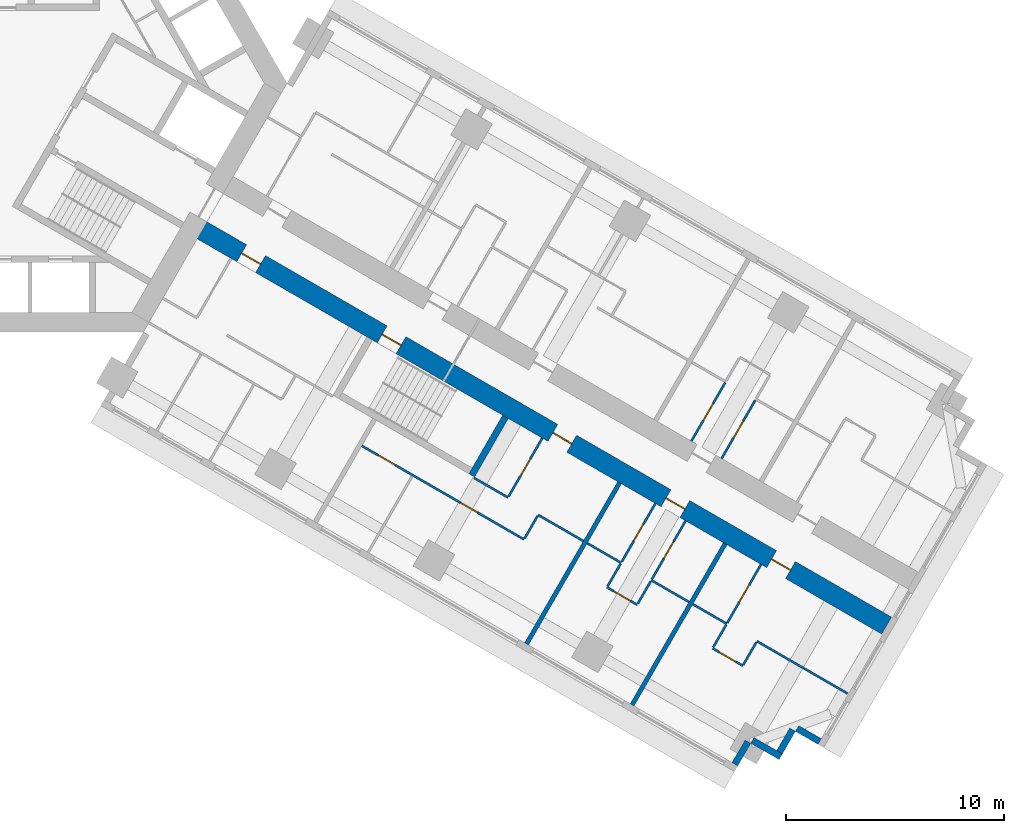
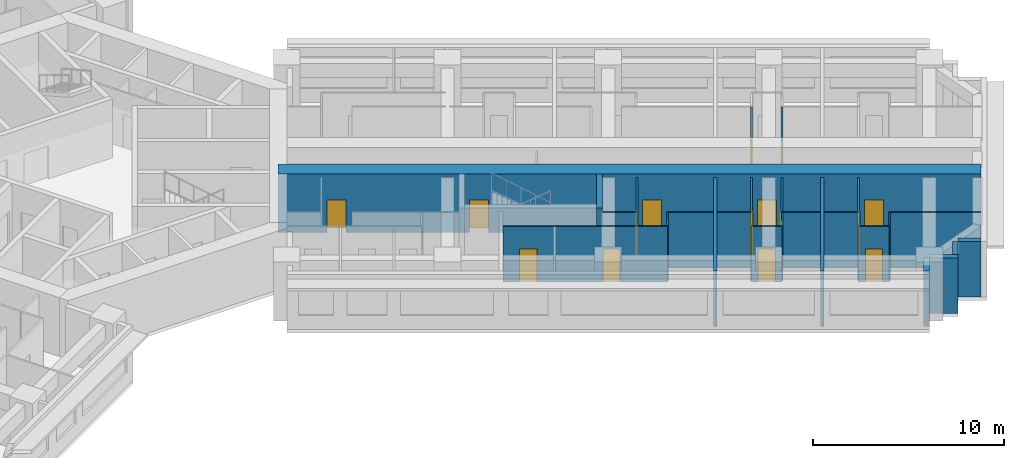
# One storey, part 11 of 16: 28 walls, 15 doors, 15 openings.
"""IFC4 building model written with IfcOpenShell, lengths in metres."""

from ifc_helpers import new_model, si_unit, direction, frame, frame_2d, origin, place, context, subcontext, project, spatial, rectangle, extrude, material, layer, layer_set, type_object, element, fill, save


model = new_model("IFC4")

# Units and contexts
model_context = context("Model", 3, precision=1e-05, world=origin(), true_north=direction((0.0, 1.0)))
body_context = subcontext(model_context, "Body", "Model", "MODEL_VIEW")
ifc_project = project(units=[si_unit("LENGTHUNIT", "METRE"), si_unit("AREAUNIT", "SQUARE_METRE"), si_unit("VOLUMEUNIT", "CUBIC_METRE"), si_unit("PLANEANGLEUNIT", "RADIAN"), si_unit("MASSUNIT", "GRAM", prefix="KILO")], contexts=[model_context])

# Site, building, storey
site_placement = place(None, origin())
site = spatial("IfcSite", under=ifc_project, at=site_placement, CompositionType="ELEMENT")
building_placement = place(site_placement, origin())
building = spatial("IfcBuilding", under=site, at=building_placement, Name="Impinga Residences", CompositionType="ELEMENT")
storey_placement = place(building_placement, frame((0.0, 0.0, 56.0)))
storey = spatial("IfcBuildingStorey", under=building, at=storey_placement, Name="L13", CompositionType="ELEMENT", Elevation=56.0)

# Wall, openings, doors
ifc_material_1 = material(Name="Concrete C70/85", Category="concrete")
ifc_layer_1 = layer(ifc_material_1, 0.89990234375)
ifc_layer_set_1 = layer_set([ifc_layer_1], Name="Concrete C70/85")
wall_type_1 = type_object("IfcWallType", Name="BW1 corridor buttress wall, L05 to L22 900", PredefinedType="SHEAR", material=ifc_layer_set_1)
wall_1_placement = place(storey_placement, frame((8.910400390625, -6.530029296875, 0.0), z_axis=(0.0, 0.0, 1.0), x_axis=(0.866025284237, -0.500000207062, 0.0)))
wall_1 = element("IfcWall", 1, at=wall_1_placement, inside=storey, type_object=wall_type_1, Name="Corridor wall BW1 ED L13", PredefinedType="SHEAR", context=body_context, shape_type="SweptSolid", body=[
    extrude(rectangle(XDim=36.75, YDim=0.89990234375, at=frame_2d((18.375, 0.0))), origin(), (0.0, 0.0, 1.0), 3.75),
])
opening_1_placement = place(wall_1_placement, frame((10.0, 0.0, 0.0)))
opening_1 = element("IfcOpeningElement", 2, at=opening_1_placement, cuts=wall_1, Name="Opening D5", PredefinedType="OPENING", context=body_context, shape_type="SweptSolid", body=[
    extrude(rectangle(XDim=1.0, YDim=2.10009765625, at=frame_2d((0.5, 1.050048828125))), frame((0.0, 0.4599609375, 0.0), z_axis=(0.0, -1.0, 0.0), x_axis=(1.0, 0.0, 0.0)), (0.0, 0.0, 1.0), 0.919921875),
])
opening_2_placement = place(wall_1_placement, frame((2.550048828125, 0.0, 0.0)))
opening_2 = element("IfcOpeningElement", 3, at=opening_2_placement, cuts=wall_1, Name="Opening D1", PredefinedType="OPENING", context=body_context, shape_type="SweptSolid", body=[
    extrude(rectangle(XDim=1.0, YDim=2.10009765625, at=frame_2d((0.5, 1.050048828125))), frame((0.0, 0.4599609375, 0.0), z_axis=(0.0, -1.0, 0.0), x_axis=(1.0, 0.0, 0.0)), (0.0, 0.0, 1.0), 0.919921875),
])
opening_3_placement = place(wall_1_placement, frame((19.050048828125, 0.0, 0.0)))
opening_3 = element("IfcOpeningElement", 4, at=opening_3_placement, cuts=wall_1, Name="Opening D1", PredefinedType="OPENING", context=body_context, shape_type="SweptSolid", body=[
    extrude(rectangle(XDim=1.0, YDim=2.10009765625, at=frame_2d((0.5, 1.050048828125))), frame((0.0, 0.4599609375, 0.0), z_axis=(0.0, -1.0, 0.0), x_axis=(1.0, 0.0, 0.0)), (0.0, 0.0, 1.0), 0.919921875),
])
opening_4_placement = place(wall_1_placement, frame((25.050048828125, 0.0, 0.0)))
opening_4 = element("IfcOpeningElement", 5, at=opening_4_placement, cuts=wall_1, Name="Opening D1", PredefinedType="OPENING", context=body_context, shape_type="SweptSolid", body=[
    extrude(rectangle(XDim=1.0, YDim=2.10009765625, at=frame_2d((0.5, 1.050048828125))), frame((0.0, 0.4599609375, 0.0), z_axis=(0.0, -1.0, 0.0), x_axis=(1.0, 0.0, 0.0)), (0.0, 0.0, 1.0), 0.919921875),
])
opening_5_placement = place(wall_1_placement, frame((30.64990234375, 0.0, 0.0)))
opening_5 = element("IfcOpeningElement", 6, at=opening_5_placement, cuts=wall_1, Name="Opening D1", PredefinedType="OPENING", context=body_context, shape_type="SweptSolid", body=[
    extrude(rectangle(XDim=1.0, YDim=2.10009765625, at=frame_2d((0.5, 1.050048828125))), frame((0.0, 0.4599609375, 0.0), z_axis=(0.0, -1.0, 0.0), x_axis=(1.0, 0.0, 0.0)), (0.0, 0.0, 1.0), 0.919921875),
])
ifc_material_2 = material(Name="Timber door set", Category="wood")
door_type_1 = type_object("IfcDoorType", Name="D1 apartment entrance door 1000x2100", OperationType="SINGLE_SWING_LEFT", PredefinedType="DOOR", material=ifc_material_2)
door_1_placement = place(opening_2_placement, origin())
door_1 = element("IfcDoor", 7, at=door_1_placement, inside=storey, type_object=door_type_1, Name="Apartment L13-EF1 entrance", OperationType="SINGLE_SWING_LEFT", OverallHeight=2.10009765625, OverallWidth=1.0, PredefinedType="DOOR", context=body_context, shape_type="SweptSolid", body=[
    extrude(rectangle(XDim=1.0, YDim=2.10009765625, at=frame_2d((0.5, 1.050048828125))), frame((0.0, 0.02490234375, 0.0), z_axis=(0.0, -1.0, 0.0), x_axis=(1.0, 0.0, 0.0)), (0.0, 0.0, 1.0), 0.050048828125),
])
fill(opening_2, door_1)
door_2_placement = place(opening_3_placement, origin())
door_2 = element("IfcDoor", 8, at=door_2_placement, inside=storey, type_object=door_type_1, Name="Apartment L13-EF2 entrance", OperationType="SINGLE_SWING_RIGHT", OverallHeight=2.10009765625, OverallWidth=1.0, PredefinedType="DOOR", context=body_context, shape_type="SweptSolid", body=[
    extrude(rectangle(XDim=1.0, YDim=2.10009765625, at=frame_2d((0.5, 1.050048828125))), frame((0.0, 0.02490234375, 0.0), z_axis=(0.0, -1.0, 0.0), x_axis=(1.0, 0.0, 0.0)), (0.0, 0.0, 1.0), 0.050048828125),
])
fill(opening_3, door_2)
door_3_placement = place(opening_4_placement, origin())
door_3 = element("IfcDoor", 9, at=door_3_placement, inside=storey, type_object=door_type_1, Name="Apartment L13-EF3 entrance", OperationType="SINGLE_SWING_RIGHT", OverallHeight=2.10009765625, OverallWidth=1.0, PredefinedType="DOOR", context=body_context, shape_type="SweptSolid", body=[
    extrude(rectangle(XDim=1.0, YDim=2.10009765625, at=frame_2d((0.5, 1.050048828125))), frame((0.0, 0.02490234375, 0.0), z_axis=(0.0, -1.0, 0.0), x_axis=(1.0, 0.0, 0.0)), (0.0, 0.0, 1.0), 0.050048828125),
])
fill(opening_4, door_3)
door_4_placement = place(opening_5_placement, origin())
door_4 = element("IfcDoor", 10, at=door_4_placement, inside=storey, type_object=door_type_1, Name="Apartment L13-EF4 entrance", OperationType="SINGLE_SWING_RIGHT", OverallHeight=2.10009765625, OverallWidth=1.0, PredefinedType="DOOR", context=body_context, shape_type="SweptSolid", body=[
    extrude(rectangle(XDim=1.0, YDim=2.10009765625, at=frame_2d((0.5, 1.050048828125))), frame((0.0, 0.02490234375, 0.0), z_axis=(0.0, -1.0, 0.0), x_axis=(1.0, 0.0, 0.0)), (0.0, 0.0, 1.0), 0.050048828125),
])
fill(opening_5, door_4)
door_type_2 = type_object("IfcDoorType", Name="D5 stair door 1000x2100", OperationType="SINGLE_SWING_LEFT", PredefinedType="DOOR", material=ifc_material_2)
door_5_placement = place(opening_1_placement, origin())
door_5 = element("IfcDoor", 11, at=door_5_placement, inside=storey, type_object=door_type_2, Name="Wing stair door E", OperationType="SINGLE_SWING_LEFT", OverallHeight=2.10009765625, OverallWidth=1.0, PredefinedType="DOOR", context=body_context, shape_type="SweptSolid", body=[
    extrude(rectangle(XDim=1.0, YDim=2.10009765625, at=frame_2d((0.5, 1.050048828125))), frame((0.0, 0.02490234375, 0.0), z_axis=(0.0, -1.0, 0.0), x_axis=(1.0, 0.0, 0.0)), (0.0, 0.0, 1.0), 0.050048828125),
])
fill(opening_1, door_5)

# Walls
ifc_material_3 = material(Name="Terracotta rainscreen on blockwork", Category="masonry")
ifc_layer_2 = layer(ifc_material_3, 0.300048828125)
ifc_layer_set_2 = layer_set([ifc_layer_2], Name="EW1 external wall, terracotta rainscreen on blockwork 300")
wall_type_2 = type_object("IfcWallType", Name="EW1 external wall, terracotta rainscreen on blockwork 300", PredefinedType="SOLIDWALL", material=ifc_layer_set_2)
wall_2_placement = place(storey_placement, frame((37.66162109375, -30.23095703125, 0.0), z_axis=(0.0, 0.0, 1.0), x_axis=(-0.866059708757, 0.499940577336, 0.0)))
element("IfcWall", 12, at=wall_2_placement, inside=storey, type_object=wall_type_2, Name="External wall EW1 L13", PredefinedType="SOLIDWALL", context=body_context, shape_type="SweptSolid", body=[
    extrude(rectangle(XDim=1.195068359375, YDim=0.300048828125, at=frame_2d((0.59765625, 0.0))), origin(), (0.0, 0.0, 1.0), 3.530029296875),
])
wall_3_placement = place(storey_placement, frame((36.41748046875, -29.68603515625, 0.0), z_axis=(0.0, 0.0, 1.0), x_axis=(-0.499969057507, -0.866043267704, 0.0)))
element("IfcWall", 13, at=wall_3_placement, inside=storey, type_object=wall_type_2, Name="External wall EW1 L13", PredefinedType="SOLIDWALL", context=body_context, shape_type="SweptSolid", body=[
    extrude(rectangle(XDim=1.19970703125, YDim=0.300048828125, at=frame_2d((0.599853515625, 0.0))), origin(), (0.0, 0.0, 1.0), 3.530029296875),
])
wall_4_placement = place(storey_placement, frame((35.87255859375, -30.93017578125, 0.0), z_axis=(0.0, 0.0, 1.0), x_axis=(-0.866031096941, 0.499990139034, 0.0)))
element("IfcWall", 14, at=wall_4_placement, inside=storey, type_object=wall_type_2, Name="External wall EW1 L13", PredefinedType="SOLIDWALL", context=body_context, shape_type="SweptSolid", body=[
    extrude(rectangle(XDim=1.5, YDim=0.300048828125, at=frame_2d((0.75, 0.0))), origin(), (0.0, 0.0, 1.0), 3.530029296875),
])
wall_5_placement = place(storey_placement, frame((34.365966796875, -30.2392578125, 0.0), z_axis=(0.0, 0.0, 1.0), x_axis=(-0.499940577336, -0.866059708757, 0.0)))
element("IfcWall", 15, at=wall_5_placement, inside=storey, type_object=wall_type_2, Name="External wall EW1 L13", PredefinedType="SOLIDWALL", context=body_context, shape_type="SweptSolid", body=[
    extrude(rectangle(XDim=1.195068359375, YDim=0.300048828125, at=frame_2d((0.59765625, 0.0))), origin(), (0.0, 0.0, 1.0), 3.530029296875),
])

# Wall, opening, door
ifc_material_4 = material(Name="Gypsum board on steel studs", Category="steel")
ifc_layer_3 = layer(ifc_material_4, 0.10009765625)
ifc_layer_set_3 = layer_set([ifc_layer_3], Name="Gypsum board on steel studs")
wall_type_3 = type_object("IfcWallType", Name="IP1 partition 100", PredefinedType="PARTITIONING", material=ifc_layer_set_3)
wall_6_placement = place(storey_placement, frame((31.76953125, -16.436767578125, 0.0), z_axis=(0.0, 0.0, 1.0), x_axis=(0.499967891604, 0.866043940782, 0.0)))
wall_6 = element("IfcWall", 16, at=wall_6_placement, inside=storey, type_object=wall_type_3, Name="Partition L13-EA4:IB1", PredefinedType="PARTITIONING", context=body_context, shape_type="SweptSolid", body=[
    extrude(rectangle(XDim=3.099853515625, YDim=0.10009765625, at=frame_2d((1.5498046875, 0.0))), origin(), (0.0, 0.0, 1.0), 3.530029296875),
])
opening_6_placement = place(wall_6_placement, frame((1.10009765625, 0.0, 0.0)))
opening_6 = element("IfcOpeningElement", 17, at=opening_6_placement, cuts=wall_6, Name="Opening D2", PredefinedType="OPENING", context=body_context, shape_type="SweptSolid", body=[
    extrude(rectangle(XDim=0.89990234375, YDim=2.10009765625, at=frame_2d((0.449951171875, 1.050048828125))), frame((0.0, 0.06005859375, 0.0), z_axis=(0.0, -1.0, 0.0), x_axis=(1.0, 0.0, 0.0)), (0.0, 0.0, 1.0), 0.1201171875),
])
door_type_3 = type_object("IfcDoorType", Name="D2 internal door 900x2100", OperationType="SINGLE_SWING_LEFT", PredefinedType="DOOR", material=ifc_material_2)
door_6_placement = place(opening_6_placement, origin())
door_6 = element("IfcDoor", 18, at=door_6_placement, inside=storey, type_object=door_type_3, Name="Apartment L13-EA4 bathroom door", OperationType="SINGLE_SWING_LEFT", OverallHeight=2.10009765625, OverallWidth=0.89990234375, PredefinedType="DOOR", context=body_context, shape_type="SweptSolid", body=[
    extrude(rectangle(XDim=0.89990234375, YDim=2.10009765625, at=frame_2d((0.449951171875, 1.050048828125))), frame((0.0, 0.02490234375, 0.0), z_axis=(0.0, -1.0, 0.0), x_axis=(1.0, 0.0, 0.0)), (0.0, 0.0, 1.0), 0.050048828125),
])
fill(opening_6, door_6)

wall_7_placement = place(storey_placement, frame((33.155029296875, -17.23681640625, 0.0), z_axis=(0.0, 0.0, 1.0), x_axis=(0.500026960575, 0.86600983753, 0.0)))
wall_7 = element("IfcWall", 19, at=wall_7_placement, inside=storey, type_object=wall_type_3, Name="Partition L13-EA4:IB2", PredefinedType="PARTITIONING", context=body_context, shape_type="SweptSolid", body=[
    extrude(rectangle(XDim=3.099853515625, YDim=0.10009765625, at=frame_2d((1.5498046875, 0.0))), origin(), (0.0, 0.0, 1.0), 3.530029296875),
])
opening_7_placement = place(wall_7_placement, frame((1.10009765625, 0.0, 0.0)))
opening_7 = element("IfcOpeningElement", 20, at=opening_7_placement, cuts=wall_7, Name="Opening D2", PredefinedType="OPENING", context=body_context, shape_type="SweptSolid", body=[
    extrude(rectangle(XDim=0.89990234375, YDim=2.10009765625, at=frame_2d((0.449951171875, 1.050048828125))), frame((0.0, 0.06005859375, 0.0), z_axis=(0.0, -1.0, 0.0), x_axis=(1.0, 0.0, 0.0)), (0.0, 0.0, 1.0), 0.1201171875),
])
door_7_placement = place(opening_7_placement, origin())
door_7 = element("IfcDoor", 21, at=door_7_placement, inside=storey, type_object=door_type_3, Name="Apartment L13-EA4 WC door", OperationType="SINGLE_SWING_LEFT", OverallHeight=2.10009765625, OverallWidth=0.89990234375, PredefinedType="DOOR", context=body_context, shape_type="SweptSolid", body=[
    extrude(rectangle(XDim=0.89990234375, YDim=2.10009765625, at=frame_2d((0.449951171875, 1.050048828125))), frame((0.0, 0.02490234375, 0.0), z_axis=(0.0, -1.0, 0.0), x_axis=(1.0, 0.0, 0.0)), (0.0, 0.0, 1.0), 0.050048828125),
])
fill(opening_7, door_7)

# Walls
wall_8_placement = place(storey_placement, frame((21.789306640625, -18.122802734375, 0.0), z_axis=(0.0, 0.0, 1.0), x_axis=(0.866047807691, -0.499961193289, 0.0)))
element("IfcWall", 22, at=wall_8_placement, inside=storey, type_object=wall_type_3, Name="Partition L13-EF2:DIV0", PredefinedType="PARTITIONING", context=body_context, shape_type="SweptSolid", body=[
    extrude(rectangle(XDim=1.800048828125, YDim=0.10009765625, at=frame_2d((0.89990234375, 0.0))), origin(), (0.0, 0.0, 1.0), 3.530029296875),
])
wall_9_placement = place(storey_placement, frame((24.73388671875, -19.82275390625, 0.0), z_axis=(0.0, 0.0, 1.0), x_axis=(0.866024647952, -0.500001309137, 0.0)))
element("IfcWall", 23, at=wall_9_placement, inside=storey, type_object=wall_type_3, Name="Partition L13-EF2:DIV1", PredefinedType="PARTITIONING", context=body_context, shape_type="SweptSolid", body=[
    extrude(rectangle(XDim=2.39990234375, YDim=0.10009765625, at=frame_2d((1.199951171875, 0.0))), origin(), (0.0, 0.0, 1.0), 3.530029296875),
])

# Wall, openings, doors
wall_10_placement = place(storey_placement, frame((16.635986328125, -16.6484375, 0.0), z_axis=(0.0, 0.0, 1.0), x_axis=(0.866028165386, -0.499995216735, 0.0)))
wall_10 = element("IfcWall", 24, at=wall_10_placement, inside=storey, type_object=wall_type_3, Name="Partition L13-EF2:STRIP", PredefinedType="PARTITIONING", context=body_context, shape_type="SweptSolid", body=[
    extrude(rectangle(XDim=8.60009765625, YDim=0.10009765625, at=frame_2d((4.300048828125, 0.0))), origin(), (0.0, 0.0, 1.0), 3.530029296875),
])
opening_8_placement = place(wall_10_placement, frame((0.875, 0.0, 0.0)))
opening_8 = element("IfcOpeningElement", 25, at=opening_8_placement, cuts=wall_10, Name="Opening D2", PredefinedType="OPENING", context=body_context, shape_type="SweptSolid", body=[
    extrude(rectangle(XDim=0.89990234375, YDim=2.10009765625, at=frame_2d((0.449951171875, 1.050048828125))), frame((0.0, 0.06005859375, 0.0), z_axis=(0.0, -1.0, 0.0), x_axis=(1.0, 0.0, 0.0)), (0.0, 0.0, 1.0), 0.1201171875),
])
opening_9_placement = place(wall_10_placement, frame((5.22509765625, 0.0, 0.0)))
opening_9 = element("IfcOpeningElement", 26, at=opening_9_placement, cuts=wall_10, Name="Opening D2", PredefinedType="OPENING", context=body_context, shape_type="SweptSolid", body=[
    extrude(rectangle(XDim=0.89990234375, YDim=2.10009765625, at=frame_2d((0.449951171875, 1.050048828125))), frame((0.0, 0.06005859375, 0.0), z_axis=(0.0, -1.0, 0.0), x_axis=(1.0, 0.0, 0.0)), (0.0, 0.0, 1.0), 0.1201171875),
])
door_8_placement = place(opening_8_placement, origin())
door_8 = element("IfcDoor", 27, at=door_8_placement, inside=storey, type_object=door_type_3, Name="Apartment L13-EF2 room door", OperationType="SINGLE_SWING_LEFT", OverallHeight=2.10009765625, OverallWidth=0.89990234375, PredefinedType="DOOR", context=body_context, shape_type="SweptSolid", body=[
    extrude(rectangle(XDim=0.89990234375, YDim=2.10009765625, at=frame_2d((0.449951171875, 1.050048828125))), frame((0.0, 0.02490234375, 0.0), z_axis=(0.0, -1.0, 0.0), x_axis=(1.0, 0.0, 0.0)), (0.0, 0.0, 1.0), 0.050048828125),
])
fill(opening_8, door_8)
door_9_placement = place(opening_9_placement, origin())
door_9 = element("IfcDoor", 28, at=door_9_placement, inside=storey, type_object=door_type_3, Name="Apartment L13-EF2 room door", OperationType="SINGLE_SWING_RIGHT", OverallHeight=2.10009765625, OverallWidth=0.89990234375, PredefinedType="DOOR", context=body_context, shape_type="SweptSolid", body=[
    extrude(rectangle(XDim=0.89990234375, YDim=2.10009765625, at=frame_2d((0.449951171875, 1.050048828125))), frame((0.0, 0.02490234375, 0.0), z_axis=(0.0, -1.0, 0.0), x_axis=(1.0, 0.0, 0.0)), (0.0, 0.0, 1.0), 0.050048828125),
])
fill(opening_9, door_9)

# Wall
wall_11_placement = place(storey_placement, frame((24.708984375, -19.865966796875, 0.0), z_axis=(0.0, 0.0, 1.0), x_axis=(-0.500033551112, -0.866006032174, 0.0)))
element("IfcWall", 29, at=wall_11_placement, inside=storey, type_object=wall_type_3, Name="Partition L13-EF2:SE1", PredefinedType="PARTITIONING", context=body_context, shape_type="SweptSolid", body=[
    extrude(rectangle(XDim=1.2001953125, YDim=0.10009765625, at=frame_2d((0.60009765625, 0.0))), origin(), (0.0, 0.0, 1.0), 3.530029296875),
])

# Wall, opening, door
wall_12_placement = place(storey_placement, frame((24.92333984375, -16.294677734375, 0.0), z_axis=(0.0, 0.0, 1.0), x_axis=(-0.49999285859, -0.86602952684, 0.0)))
wall_12 = element("IfcWall", 30, at=wall_12_placement, inside=storey, type_object=wall_type_3, Name="Partition L13-EF2:IB1", PredefinedType="PARTITIONING", context=body_context, shape_type="SweptSolid", body=[
    extrude(rectangle(XDim=3.10009765625, YDim=0.10009765625, at=frame_2d((1.550048828125, 0.0))), origin(), (0.0, 0.0, 1.0), 3.530029296875),
])
opening_10_placement = place(wall_12_placement, frame((1.10009765625, 0.0, 0.0)))
opening_10 = element("IfcOpeningElement", 31, at=opening_10_placement, cuts=wall_12, Name="Opening D2", PredefinedType="OPENING", context=body_context, shape_type="SweptSolid", body=[
    extrude(rectangle(XDim=0.89990234375, YDim=2.10009765625, at=frame_2d((0.449951171875, 1.050048828125))), frame((0.0, 0.06005859375, 0.0), z_axis=(0.0, -1.0, 0.0), x_axis=(1.0, 0.0, 0.0)), (0.0, 0.0, 1.0), 0.1201171875),
])
door_10_placement = place(opening_10_placement, origin())
door_10 = element("IfcDoor", 32, at=door_10_placement, inside=storey, type_object=door_type_3, Name="Apartment L13-EF2 bathroom door", OperationType="SINGLE_SWING_LEFT", OverallHeight=2.10009765625, OverallWidth=0.89990234375, PredefinedType="DOOR", context=body_context, shape_type="SweptSolid", body=[
    extrude(rectangle(XDim=0.89990234375, YDim=2.10009765625, at=frame_2d((0.449951171875, 1.050048828125))), frame((0.0, 0.02490234375, 0.0), z_axis=(0.0, -1.0, 0.0), x_axis=(1.0, 0.0, 0.0)), (0.0, 0.0, 1.0), 0.050048828125),
])
fill(opening_10, door_10)

# Walls
wall_13_placement = place(storey_placement, frame((26.985595703125, -21.122802734375, 0.0), z_axis=(0.0, 0.0, 1.0), x_axis=(0.866047807691, -0.499961193289, 0.0)))
element("IfcWall", 33, at=wall_13_placement, inside=storey, type_object=wall_type_3, Name="Partition L13-EF3:DIV0", PredefinedType="PARTITIONING", context=body_context, shape_type="SweptSolid", body=[
    extrude(rectangle(XDim=1.800048828125, YDim=0.10009765625, at=frame_2d((0.89990234375, 0.0))), origin(), (0.0, 0.0, 1.0), 3.530029296875),
])
wall_14_placement = place(storey_placement, frame((29.93017578125, -22.82275390625, 0.0), z_axis=(0.0, 0.0, 1.0), x_axis=(0.866010750942, -0.50002537861, 0.0)))
element("IfcWall", 34, at=wall_14_placement, inside=storey, type_object=wall_type_3, Name="Partition L13-EF3:DIV1", PredefinedType="PARTITIONING", context=body_context, shape_type="SweptSolid", body=[
    extrude(rectangle(XDim=2.0, YDim=0.10009765625, at=frame_2d((1.0, 0.0))), origin(), (0.0, 0.0, 1.0), 3.530029296875),
])

# Wall, opening, door
wall_15_placement = place(storey_placement, frame((27.89453125, -23.1484375, 0.0), z_axis=(0.0, 0.0, 1.0), x_axis=(0.865989903783, -0.500061482766, 0.0)))
wall_15 = element("IfcWall", 35, at=wall_15_placement, inside=storey, type_object=wall_type_3, Name="Partition L13-EF3:STRIP", PredefinedType="PARTITIONING", context=body_context, shape_type="SweptSolid", body=[
    extrude(rectangle(XDim=1.599853515625, YDim=0.10009765625, at=frame_2d((0.7998046875, 0.0))), origin(), (0.0, 0.0, 1.0), 3.530029296875),
])
opening_11_placement = place(wall_15_placement, frame((0.35009765625, 0.0, 0.0)))
opening_11 = element("IfcOpeningElement", 36, at=opening_11_placement, cuts=wall_15, Name="Opening D2", PredefinedType="OPENING", context=body_context, shape_type="SweptSolid", body=[
    extrude(rectangle(XDim=0.89990234375, YDim=2.10009765625, at=frame_2d((0.449951171875, 1.050048828125))), frame((0.0, 0.06005859375, 0.0), z_axis=(0.0, -1.0, 0.0), x_axis=(1.0, 0.0, 0.0)), (0.0, 0.0, 1.0), 0.1201171875),
])
door_11_placement = place(opening_11_placement, origin())
door_11 = element("IfcDoor", 37, at=door_11_placement, inside=storey, type_object=door_type_3, Name="Apartment L13-EF3 room door", OperationType="SINGLE_SWING_LEFT", OverallHeight=2.10009765625, OverallWidth=0.89990234375, PredefinedType="DOOR", context=body_context, shape_type="SweptSolid", body=[
    extrude(rectangle(XDim=0.89990234375, YDim=2.10009765625, at=frame_2d((0.449951171875, 1.050048828125))), frame((0.0, 0.02490234375, 0.0), z_axis=(0.0, -1.0, 0.0), x_axis=(1.0, 0.0, 0.0)), (0.0, 0.0, 1.0), 0.050048828125),
])
fill(opening_11, door_11)

# Walls
wall_16_placement = place(storey_placement, frame((28.51953125, -22.06591796875, 0.0), z_axis=(0.0, 0.0, 1.0), x_axis=(-0.500033551112, -0.866006032174, 0.0)))
element("IfcWall", 38, at=wall_16_placement, inside=storey, type_object=wall_type_3, Name="Partition L13-EF3:SE0", PredefinedType="PARTITIONING", context=body_context, shape_type="SweptSolid", body=[
    extrude(rectangle(XDim=1.2001953125, YDim=0.10009765625, at=frame_2d((0.60009765625, 0.0))), origin(), (0.0, 0.0, 1.0), 3.530029296875),
])
wall_17_placement = place(storey_placement, frame((29.905029296875, -22.865966796875, 0.0), z_axis=(0.0, 0.0, 1.0), x_axis=(-0.499880961361, -0.866094119867, 0.0)))
element("IfcWall", 39, at=wall_17_placement, inside=storey, type_object=wall_type_3, Name="Partition L13-EF3:SE1", PredefinedType="PARTITIONING", context=body_context, shape_type="SweptSolid", body=[
    extrude(rectangle(XDim=1.199951171875, YDim=0.10009765625, at=frame_2d((0.60009765625, 0.0))), origin(), (0.0, 0.0, 1.0), 3.530029296875),
])

# Wall, opening, door
wall_18_placement = place(storey_placement, frame((30.119384765625, -19.294677734375, 0.0), z_axis=(0.0, 0.0, 1.0), x_axis=(-0.49999285859, -0.86602952684, 0.0)))
wall_18 = element("IfcWall", 40, at=wall_18_placement, inside=storey, type_object=wall_type_3, Name="Partition L13-EF3:IB1", PredefinedType="PARTITIONING", context=body_context, shape_type="SweptSolid", body=[
    extrude(rectangle(XDim=3.10009765625, YDim=0.10009765625, at=frame_2d((1.550048828125, 0.0))), origin(), (0.0, 0.0, 1.0), 3.530029296875),
])
opening_12_placement = place(wall_18_placement, frame((1.10009765625, 0.0, 0.0)))
opening_12 = element("IfcOpeningElement", 41, at=opening_12_placement, cuts=wall_18, Name="Opening D2", PredefinedType="OPENING", context=body_context, shape_type="SweptSolid", body=[
    extrude(rectangle(XDim=0.89990234375, YDim=2.10009765625, at=frame_2d((0.449951171875, 1.050048828125))), frame((0.0, 0.06005859375, 0.0), z_axis=(0.0, -1.0, 0.0), x_axis=(1.0, 0.0, 0.0)), (0.0, 0.0, 1.0), 0.1201171875),
])
door_12_placement = place(opening_12_placement, origin())
door_12 = element("IfcDoor", 42, at=door_12_placement, inside=storey, type_object=door_type_3, Name="Apartment L13-EF3 bathroom door", OperationType="SINGLE_SWING_LEFT", OverallHeight=2.10009765625, OverallWidth=0.89990234375, PredefinedType="DOOR", context=body_context, shape_type="SweptSolid", body=[
    extrude(rectangle(XDim=0.89990234375, YDim=2.10009765625, at=frame_2d((0.449951171875, 1.050048828125))), frame((0.0, 0.02490234375, 0.0), z_axis=(0.0, -1.0, 0.0), x_axis=(1.0, 0.0, 0.0)), (0.0, 0.0, 1.0), 0.050048828125),
])
fill(opening_12, door_12)

wall_19_placement = place(storey_placement, frame((31.505126953125, -20.0947265625, 0.0), z_axis=(0.0, 0.0, 1.0), x_axis=(-0.500026960575, -0.86600983753, 0.0)))
wall_19 = element("IfcWall", 43, at=wall_19_placement, inside=storey, type_object=wall_type_3, Name="Partition L13-EF3:IB2", PredefinedType="PARTITIONING", context=body_context, shape_type="SweptSolid", body=[
    extrude(rectangle(XDim=3.099853515625, YDim=0.10009765625, at=frame_2d((1.5498046875, 0.0))), origin(), (0.0, 0.0, 1.0), 3.530029296875),
])
opening_13_placement = place(wall_19_placement, frame((1.10009765625, 0.0, 0.0)))
opening_13 = element("IfcOpeningElement", 44, at=opening_13_placement, cuts=wall_19, Name="Opening D2", PredefinedType="OPENING", context=body_context, shape_type="SweptSolid", body=[
    extrude(rectangle(XDim=0.89990234375, YDim=2.10009765625, at=frame_2d((0.449951171875, 1.050048828125))), frame((0.0, 0.06005859375, 0.0), z_axis=(0.0, -1.0, 0.0), x_axis=(1.0, 0.0, 0.0)), (0.0, 0.0, 1.0), 0.1201171875),
])
door_13_placement = place(opening_13_placement, origin())
door_13 = element("IfcDoor", 45, at=door_13_placement, inside=storey, type_object=door_type_3, Name="Apartment L13-EF3 WC door", OperationType="SINGLE_SWING_LEFT", OverallHeight=2.10009765625, OverallWidth=0.89990234375, PredefinedType="DOOR", context=body_context, shape_type="SweptSolid", body=[
    extrude(rectangle(XDim=0.89990234375, YDim=2.10009765625, at=frame_2d((0.449951171875, 1.050048828125))), frame((0.0, 0.02490234375, 0.0), z_axis=(0.0, -1.0, 0.0), x_axis=(1.0, 0.0, 0.0)), (0.0, 0.0, 1.0), 0.050048828125),
])
fill(opening_13, door_13)

# Walls
wall_20_placement = place(storey_placement, frame((31.835205078125, -23.922607421875, 0.0), z_axis=(0.0, 0.0, 1.0), x_axis=(0.865989075817, -0.500062916607, 0.0)))
element("IfcWall", 46, at=wall_20_placement, inside=storey, type_object=wall_type_3, Name="Partition L13-EF4:DIV0", PredefinedType="PARTITIONING", context=body_context, shape_type="SweptSolid", body=[
    extrude(rectangle(XDim=1.800048828125, YDim=0.10009765625, at=frame_2d((0.89990234375, 0.0))), origin(), (0.0, 0.0, 1.0), 3.530029296875),
])
wall_21_placement = place(storey_placement, frame((34.77978515625, -25.622802734375, 0.0), z_axis=(0.0, 0.0, 1.0), x_axis=(0.866037363387, -0.499979284789, 0.0)))
element("IfcWall", 47, at=wall_21_placement, inside=storey, type_object=wall_type_3, Name="Partition L13-EF4:DIV1", PredefinedType="PARTITIONING", context=body_context, shape_type="SweptSolid", body=[
    extrude(rectangle(XDim=4.800048828125, YDim=0.10009765625, at=frame_2d((2.39990234375, 0.0))), origin(), (0.0, 0.0, 1.0), 3.530029296875),
])

# Wall, opening, door
wall_22_placement = place(storey_placement, frame((32.744140625, -25.948486328125, 0.0), z_axis=(0.0, 0.0, 1.0), x_axis=(0.866028054938, -0.499995408039, 0.0)))
wall_22 = element("IfcWall", 48, at=wall_22_placement, inside=storey, type_object=wall_type_3, Name="Partition L13-EF4:STRIP", PredefinedType="PARTITIONING", context=body_context, shape_type="SweptSolid", body=[
    extrude(rectangle(XDim=1.60009765625, YDim=0.10009765625, at=frame_2d((0.800048828125, 0.0))), origin(), (0.0, 0.0, 1.0), 3.530029296875),
])
opening_14_placement = place(wall_22_placement, frame((0.35009765625, 0.0, 0.0)))
opening_14 = element("IfcOpeningElement", 49, at=opening_14_placement, cuts=wall_22, Name="Opening D2", PredefinedType="OPENING", context=body_context, shape_type="SweptSolid", body=[
    extrude(rectangle(XDim=0.89990234375, YDim=2.10009765625, at=frame_2d((0.449951171875, 1.050048828125))), frame((0.0, 0.06005859375, 0.0), z_axis=(0.0, -1.0, 0.0), x_axis=(1.0, 0.0, 0.0)), (0.0, 0.0, 1.0), 0.1201171875),
])
door_14_placement = place(opening_14_placement, origin())
door_14 = element("IfcDoor", 50, at=door_14_placement, inside=storey, type_object=door_type_3, Name="Apartment L13-EF4 room door", OperationType="SINGLE_SWING_LEFT", OverallHeight=2.10009765625, OverallWidth=0.89990234375, PredefinedType="DOOR", context=body_context, shape_type="SweptSolid", body=[
    extrude(rectangle(XDim=0.89990234375, YDim=2.10009765625, at=frame_2d((0.449951171875, 1.050048828125))), frame((0.0, 0.02490234375, 0.0), z_axis=(0.0, -1.0, 0.0), x_axis=(1.0, 0.0, 0.0)), (0.0, 0.0, 1.0), 0.050048828125),
])
fill(opening_14, door_14)

# Walls
for number, where, z_axis, x_axis, name in (
    (51, (33.369140625, -24.865966796875, 0.0), (0.0, 0.0, 1.0), (-0.500033551112, -0.866006032174, 0.0), "Partition L13-EF4:SE0"),
    (52, (34.7548828125, -25.666015625, 0.0), (0.0, 0.0, 1.0), (-0.500033551112, -0.866006032174, 0.0), "Partition L13-EF4:SE1"),
):
    element("IfcWall", number, at=place(storey_placement, frame(where, z_axis=z_axis, x_axis=x_axis)), inside=storey, type_object=wall_type_3, Name=name, PredefinedType="PARTITIONING", context=body_context, shape_type="SweptSolid", body=[
        extrude(rectangle(XDim=1.2001953125, YDim=0.10009765625, at=frame_2d((0.60009765625, 0.0))), origin(), (0.0, 0.0, 1.0), 3.530029296875),
    ])

# Wall, opening, door
wall_23_placement = place(storey_placement, frame((34.96923828125, -22.0947265625, 0.0), z_axis=(0.0, 0.0, 1.0), x_axis=(-0.500026960575, -0.86600983753, 0.0)))
wall_23 = element("IfcWall", 53, at=wall_23_placement, inside=storey, type_object=wall_type_3, Name="Partition L13-EF4:IB1", PredefinedType="PARTITIONING", context=body_context, shape_type="SweptSolid", body=[
    extrude(rectangle(XDim=3.099853515625, YDim=0.10009765625, at=frame_2d((1.5498046875, 0.0))), origin(), (0.0, 0.0, 1.0), 3.530029296875),
])
opening_15_placement = place(wall_23_placement, frame((1.10009765625, 0.0, 0.0)))
opening_15 = element("IfcOpeningElement", 54, at=opening_15_placement, cuts=wall_23, Name="Opening D2", PredefinedType="OPENING", context=body_context, shape_type="SweptSolid", body=[
    extrude(rectangle(XDim=0.89990234375, YDim=2.10009765625, at=frame_2d((0.449951171875, 1.050048828125))), frame((0.0, 0.06005859375, 0.0), z_axis=(0.0, -1.0, 0.0), x_axis=(1.0, 0.0, 0.0)), (0.0, 0.0, 1.0), 0.1201171875),
])
door_15_placement = place(opening_15_placement, origin())
door_15 = element("IfcDoor", 55, at=door_15_placement, inside=storey, type_object=door_type_3, Name="Apartment L13-EF4 bathroom door", OperationType="SINGLE_SWING_LEFT", OverallHeight=2.10009765625, OverallWidth=0.89990234375, PredefinedType="DOOR", context=body_context, shape_type="SweptSolid", body=[
    extrude(rectangle(XDim=0.89990234375, YDim=2.10009765625, at=frame_2d((0.449951171875, 1.050048828125))), frame((0.0, 0.02490234375, 0.0), z_axis=(0.0, -1.0, 0.0), x_axis=(1.0, 0.0, 0.0)), (0.0, 0.0, 1.0), 0.050048828125),
])
fill(opening_15, door_15)

# Walls
ifc_material_5 = material(Name="Concrete blockwork", Category="masonry")
ifc_layer_4 = layer(ifc_material_5, 0.199951171875)
ifc_layer_set_4 = layer_set([ifc_layer_4], Name="PW1 party wall between apartments 200")
wall_type_4 = type_object("IfcWallType", Name="PW1 party wall between apartments 200", PredefinedType="SOLIDWALL", material=ifc_layer_set_4)
for number, where, z_axis, x_axis, name in (
    (56, (28.473876953125, -18.3447265625, 0.0), (0.0, 0.0, 1.0), (-0.499990227581, -0.86603104582, 0.0), "Party wall between apartments L13-EF2:PARTY"),
    (57, (33.32373046875, -21.144775390625, 0.0), (0.0, 0.0, 1.0), (-0.499990227581, -0.86603104582, 0.0), "Party wall between apartments L13-EF3:PARTY"),
):
    element("IfcWall", number, at=place(storey_placement, frame(where, z_axis=z_axis, x_axis=x_axis)), inside=storey, type_object=wall_type_4, Name=name, PredefinedType="SOLIDWALL", context=body_context, shape_type="SweptSolid", body=[
        extrude(rectangle(XDim=8.550048828125, YDim=0.199951171875, at=frame_2d((4.27490234375, 0.0))), origin(), (0.0, 0.0, 1.0), 3.530029296875),
    ])
ifc_material_6 = material(Name="Concrete C60/75", Category="concrete")
ifc_layer_5 = layer(ifc_material_6, 0.300048828125)
ifc_layer_set_5 = layer_set([ifc_layer_5], Name="Concrete C60/75")
wall_type_5 = type_object("IfcWallType", Name="SE1 wing stair enclosure wall 300", PredefinedType="SOLIDWALL", material=ifc_layer_set_5)
wall_24_placement = place(storey_placement, frame((23.234619140625, -15.31982421875, 0.0), z_axis=(0.0, 0.0, 1.0), x_axis=(-0.500026960575, -0.86600983753, 0.0)))
element("IfcWall", 58, at=wall_24_placement, inside=storey, type_object=wall_type_5, Name="Stair enclosure wall SE1 E END1 L13", PredefinedType="SOLIDWALL", context=body_context, shape_type="SweptSolid", body=[
    extrude(rectangle(XDim=3.099853515625, YDim=0.300048828125, at=frame_2d((1.5498046875, 0.0))), origin(), (0.0, 0.0, 1.0), 3.75),
])

save(model, "model.ifc")
